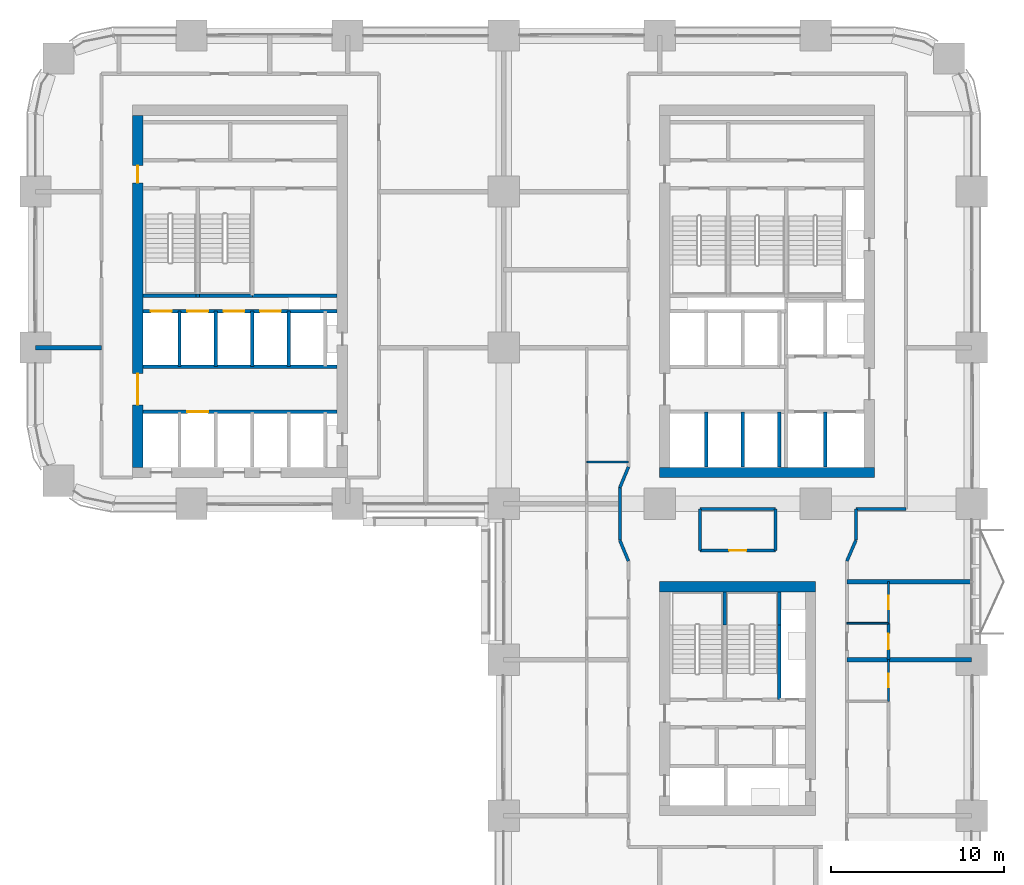
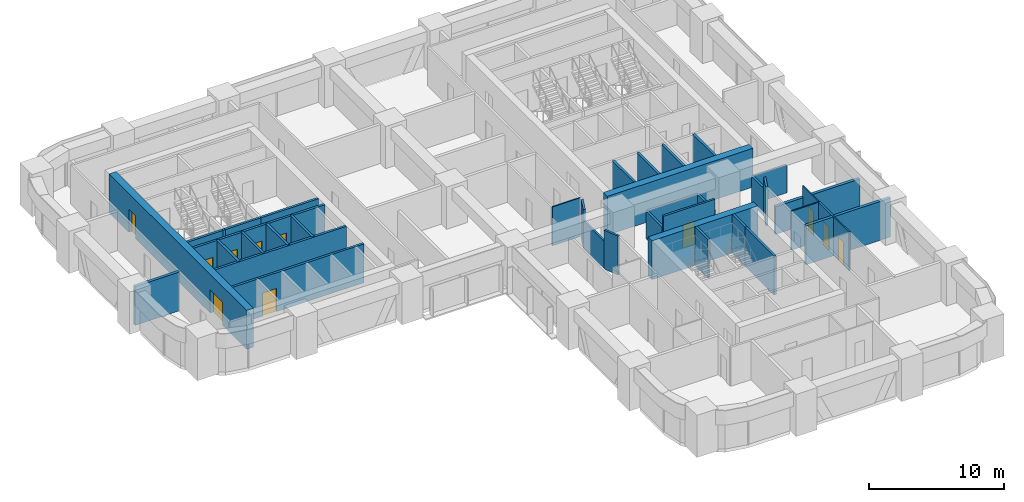
# One storey, part 13 of 18: 39 walls, 11 doors, 11 openings.
"""IFC4 building model written with IfcOpenShell, lengths in metres."""

from ifc_helpers import new_model, si_unit, direction, frame, frame_2d, origin, place, context, subcontext, project, spatial, rectangle, extrude, material, layer, layer_set, type_object, element, fill, save


model = new_model("IFC4")

# Units and contexts
model_context = context("Model", 3, precision=1e-05, world=origin(), true_north=direction((0.0, 1.0)))
body_context = subcontext(model_context, "Body", "Model", "MODEL_VIEW")
ifc_project = project(units=[si_unit("LENGTHUNIT", "METRE"), si_unit("AREAUNIT", "SQUARE_METRE"), si_unit("VOLUMEUNIT", "CUBIC_METRE"), si_unit("PLANEANGLEUNIT", "RADIAN"), si_unit("MASSUNIT", "GRAM", prefix="KILO")], contexts=[model_context])

# Site, building, storey
site_placement = place(None, origin())
site = spatial("IfcSite", under=ifc_project, at=site_placement, CompositionType="ELEMENT")
building_placement = place(site_placement, origin())
building = spatial("IfcBuilding", under=site, at=building_placement, Name="Tessera Arch", CompositionType="ELEMENT")
storey_placement = place(building_placement, frame((0.0, 0.0, 104.39990234375)))
storey = spatial("IfcBuildingStorey", under=building, at=storey_placement, Name="L24", CompositionType="ELEMENT", Elevation=104.39990234375)

# Wall
ifc_material_1 = material(Name="Concrete C70/85", Category="concrete")
ifc_layer_1 = layer(ifc_material_1, 0.60009765625)
ifc_layer_set_1 = layer_set([ifc_layer_1], Name="Core shell wall 600 C70-85")
wall_type_1 = type_object("IfcWallType", Name="Core shell wall 600 C70-85", PredefinedType="SHEAR", material=ifc_layer_set_1)
wall_1_placement = place(storey_placement, frame((36.0, 28.800048828125, 0.0), z_axis=(0.0, 0.0, 1.0), x_axis=(1.0, 0.0, 0.0)))
element("IfcWall", 1, at=wall_1_placement, inside=storey, type_object=wall_type_1, Name="L24 C1 core wall S", PredefinedType="SHEAR", context=body_context, shape_type="SweptSolid", body=[
    extrude(rectangle(XDim=12.39990234375, YDim=0.60009765625, at=frame_2d((6.199951171875, 0.0))), origin(), (0.0, 0.0, 1.0), 3.5),
])

# Wall, openings, doors
wall_2_placement = place(storey_placement, frame((5.89990234375, 29.10009765625, 0.0), z_axis=(0.0, 0.0, 1.0), x_axis=(0.0, 1.0, 0.0)))
wall_2 = element("IfcWall", 2, at=wall_2_placement, inside=storey, type_object=wall_type_1, Name="L24 C2 core wall W", PredefinedType="SHEAR", context=body_context, shape_type="SweptSolid", body=[
    extrude(rectangle(XDim=20.2998046875, YDim=0.60009765625, at=frame_2d((10.14990234375, 0.0))), origin(), (0.0, 0.0, 1.0), 3.5),
])
opening_1_placement = place(wall_2_placement, frame((3.60009765625, 0.0, 0.0)))
opening_1 = element("IfcOpeningElement", 3, at=opening_1_placement, cuts=wall_2, Name="Opening L24-C24", PredefinedType="OPENING", context=body_context, shape_type="SweptSolid", body=[
    extrude(rectangle(XDim=1.800048828125, YDim=2.10009765625, at=frame_2d((0.89990234375, 1.050048828125))), frame((0.0, 0.31005859375, 0.0), z_axis=(0.0, -1.0, 0.0), x_axis=(1.0, 0.0, 0.0)), (0.0, 0.0, 1.0), 0.6201171875),
])
opening_2_placement = place(wall_2_placement, frame((16.39990234375, 0.0, 0.0)))
opening_2 = element("IfcOpeningElement", 4, at=opening_2_placement, cuts=wall_2, Name="Opening L24-C27", PredefinedType="OPENING", context=body_context, shape_type="SweptSolid", body=[
    extrude(rectangle(XDim=1.0, YDim=2.10009765625, at=frame_2d((0.5, 1.050048828125))), frame((0.0, 0.31005859375, 0.0), z_axis=(0.0, -1.0, 0.0), x_axis=(1.0, 0.0, 0.0)), (0.0, 0.0, 1.0), 0.6201171875),
])
ifc_material_2 = material(Name="Steel door leaf", Category="steel")
door_type_1 = type_object("IfcDoorType", Name="Corridor door FD60 1000 x 2100", OperationType="SINGLE_SWING_LEFT", PredefinedType="DOOR", material=ifc_material_2)
door_1_placement = place(opening_2_placement, origin())
door_1 = element("IfcDoor", 5, at=door_1_placement, inside=storey, type_object=door_type_1, Name="L24 C2 door 14 C27 type D12", OperationType="SINGLE_SWING_RIGHT", OverallHeight=2.10009765625, OverallWidth=1.0, PredefinedType="DOOR", context=body_context, shape_type="SweptSolid", body=[
    extrude(rectangle(XDim=1.0, YDim=2.10009765625, at=frame_2d((0.5, 1.050048828125))), frame((0.0, 0.02490234375, 0.0), z_axis=(0.0, -1.0, 0.0), x_axis=(1.0, 0.0, 0.0)), (0.0, 0.0, 1.0), 0.050048828125),
])
fill(opening_2, door_1)
ifc_material_3 = material(Name="Glazed steel door leaf", Category="steel")
door_type_2 = type_object("IfcDoorType", Name="Lobby double door FD30S 1800 x 2100", OperationType="DOUBLE_DOOR_SINGLE_SWING", PredefinedType="DOOR", material=ifc_material_3)
door_2_placement = place(opening_1_placement, origin())
door_2 = element("IfcDoor", 6, at=door_2_placement, inside=storey, type_object=door_type_2, Name="L24 C2 door 11 C24 type D06", OperationType="DOUBLE_DOOR_SINGLE_SWING", OverallHeight=2.10009765625, OverallWidth=1.800048828125, PredefinedType="DOOR", context=body_context, shape_type="SweptSolid", body=[
    extrude(rectangle(XDim=1.800048828125, YDim=2.10009765625, at=frame_2d((0.89990234375, 1.050048828125))), frame((0.0, 0.02490234375, 0.0), z_axis=(0.0, -1.0, 0.0), x_axis=(1.0, 0.0, 0.0)), (0.0, 0.0, 1.0), 0.050048828125),
])
fill(opening_1, door_2)

# Wall
wall_3_placement = place(storey_placement, frame((36.0, 22.199951171875, 0.0), z_axis=(0.0, 0.0, 1.0), x_axis=(1.0, 0.0, 0.0)))
element("IfcWall", 7, at=wall_3_placement, inside=storey, type_object=wall_type_1, Name="L24 C3 core wall N", PredefinedType="SHEAR", context=body_context, shape_type="SweptSolid", body=[
    extrude(rectangle(XDim=9.0, YDim=0.60009765625, at=frame_2d((4.5, 0.0))), origin(), (0.0, 0.0, 1.0), 3.5),
])

# Wall, opening, door
ifc_material_4 = material(Name="Gypsum board on deep steel stud with mineral wool", Category="steel")
ifc_layer_2 = layer(ifc_material_4, 0.175048828125)
ifc_layer_set_2 = layer_set([ifc_layer_2], Name="Corridor wall 175 EI 60")
wall_type_2 = type_object("IfcWallType", Name="Corridor wall 175 EI 60", PredefinedType="PARTITIONING", material=ifc_layer_set_2)
wall_4_placement = place(storey_placement, frame((38.320068359375, 24.300048828125, 0.0), z_axis=(0.0, 0.0, 1.0), x_axis=(1.0, 0.0, 0.0)))
wall_4 = element("IfcWall", 8, at=wall_4_placement, inside=storey, type_object=wall_type_2, Name="L24 partition 2", PredefinedType="PARTITIONING", context=body_context, shape_type="SweptSolid", body=[
    extrude(rectangle(XDim=4.35986328125, YDim=0.175048828125, at=frame_2d((2.179931640625, 0.0))), origin(), (0.0, 0.0, 1.0), 3.5),
])
opening_3_placement = place(wall_4_placement, frame((1.679931640625, 0.0, 0.0)))
opening_3 = element("IfcOpeningElement", 9, at=opening_3_placement, cuts=wall_4, Name="Opening L24-D018", PredefinedType="OPENING", context=body_context, shape_type="SweptSolid", body=[
    extrude(rectangle(XDim=1.0, YDim=2.10009765625, at=frame_2d((0.5, 1.050048828125))), frame((0.0, 0.097412109375, 0.0), z_axis=(0.0, -1.0, 0.0), x_axis=(1.0, 0.0, 0.0)), (0.0, 0.0, 1.0), 0.195068359375),
])
ifc_material_5 = material(Name="Fire-rated door leaf")
door_type_3 = type_object("IfcDoorType", Name="Entrance door FD30S 1000 x 2100", OperationType="SINGLE_SWING_LEFT", PredefinedType="DOOR", material=ifc_material_5)
door_3_placement = place(opening_3_placement, origin())
door_3 = element("IfcDoor", 10, at=door_3_placement, inside=storey, type_object=door_type_3, Name="L24 door D018 type D03", OperationType="SINGLE_SWING_RIGHT", OverallHeight=2.10009765625, OverallWidth=1.0, PredefinedType="DOOR", context=body_context, shape_type="SweptSolid", body=[
    extrude(rectangle(XDim=1.0, YDim=2.10009765625, at=frame_2d((0.5, 1.050048828125))), frame((0.0, 0.02490234375, 0.0), z_axis=(0.0, -1.0, 0.0), x_axis=(1.0, 0.0, 0.0)), (0.0, 0.0, 1.0), 0.050048828125),
])
fill(opening_3, door_3)

# Walls
wall_5_placement = place(storey_placement, frame((38.320068359375, 26.699951171875, 0.0), z_axis=(0.0, 0.0, 1.0), x_axis=(1.0, 0.0, 0.0)))
element("IfcWall", 11, at=wall_5_placement, inside=storey, type_object=wall_type_2, Name="L24 partition 3", PredefinedType="PARTITIONING", context=body_context, shape_type="SweptSolid", body=[
    extrude(rectangle(XDim=4.35986328125, YDim=0.175048828125, at=frame_2d((2.179931640625, 0.0))), origin(), (0.0, 0.0, 1.0), 2.5),
])
wall_6_placement = place(storey_placement, frame((47.320068359375, 26.699951171875, 0.0), z_axis=(0.0, 0.0, 1.0), x_axis=(1.0, 0.0, 0.0)))
element("IfcWall", 12, at=wall_6_placement, inside=storey, type_object=wall_type_2, Name="L24 partition 4", PredefinedType="PARTITIONING", context=body_context, shape_type="SweptSolid", body=[
    extrude(rectangle(XDim=2.8798828125, YDim=0.175048828125, at=frame_2d((1.43994140625, 0.0))), origin(), (0.0, 0.0, 1.0), 2.5),
])
wall_7_placement = place(storey_placement, frame((33.699951171875, 24.889892578125, 0.0), z_axis=(0.0, 0.0, 1.0), x_axis=(0.0, 1.0, 0.0)))
element("IfcWall", 13, at=wall_7_placement, inside=storey, type_object=wall_type_2, Name="L24 partition 11", PredefinedType="PARTITIONING", context=body_context, shape_type="SweptSolid", body=[
    extrude(rectangle(XDim=3.030029296875, YDim=0.175048828125, at=frame_2d((1.51513671875, 0.0))), origin(), (0.0, 0.0, 1.0), 2.5),
])
for number, where, z_axis, x_axis, name in (
    (14, (38.320068359375, 24.300048828125, 0.0), (0.0, 0.0, 1.0), (0.0, 1.0, 0.0), "L24 partition 14"),
    (15, (42.679931640625, 24.300048828125, 0.0), (0.0, 0.0, 1.0), (0.0, 1.0, 0.0), "L24 partition 15"),
):
    element("IfcWall", number, at=place(storey_placement, frame(where, z_axis=z_axis, x_axis=x_axis)), inside=storey, type_object=wall_type_2, Name=name, PredefinedType="PARTITIONING", context=body_context, shape_type="SweptSolid", body=[
        extrude(rectangle(XDim=2.39990234375, YDim=0.175048828125, at=frame_2d((1.199951171875, 0.0))), origin(), (0.0, 0.0, 1.0), 2.5),
    ])
wall_8_placement = place(storey_placement, frame((47.320068359375, 24.889892578125, 0.0), z_axis=(0.0, 0.0, 1.0), x_axis=(0.0, 1.0, 0.0)))
element("IfcWall", 16, at=wall_8_placement, inside=storey, type_object=wall_type_2, Name="L24 partition 17", PredefinedType="PARTITIONING", context=body_context, shape_type="SweptSolid", body=[
    extrude(rectangle(XDim=1.81005859375, YDim=0.175048828125, at=frame_2d((0.905029296875, 0.0))), origin(), (0.0, 0.0, 1.0), 2.5),
])
wall_9_placement = place(storey_placement, frame((34.199951171875, 23.68994140625, 0.0), z_axis=(0.0, 0.0, 1.0), x_axis=(-0.384628719983, 0.923071366561, 0.0)))
element("IfcWall", 17, at=wall_9_placement, inside=storey, type_object=wall_type_2, Name="L24 partition 59", PredefinedType="PARTITIONING", context=body_context, shape_type="SweptSolid", body=[
    extrude(rectangle(XDim=1.300048828125, YDim=0.175048828125, at=frame_2d((0.64990234375, 0.0))), origin(), (0.0, 0.0, 1.0), 3.5),
])
wall_10_placement = place(storey_placement, frame((47.320068359375, 24.889892578125, 0.0), z_axis=(0.0, 0.0, 1.0), x_axis=(-0.397633632391, -0.917544273804, 0.0)))
element("IfcWall", 18, at=wall_10_placement, inside=storey, type_object=wall_type_2, Name="L24 partition 60", PredefinedType="PARTITIONING", context=body_context, shape_type="SweptSolid", body=[
    extrude(rectangle(XDim=1.307861328125, YDim=0.175048828125, at=frame_2d((0.65380859375, 0.0))), origin(), (0.0, 0.0, 1.0), 3.5),
])
wall_11_placement = place(storey_placement, frame((33.699951171875, 27.919921875, 0.0), z_axis=(0.0, 0.0, 1.0), x_axis=(0.384562051588, 0.923099143363, 0.0)))
element("IfcWall", 19, at=wall_11_placement, inside=storey, type_object=wall_type_2, Name="L24 partition 61", PredefinedType="PARTITIONING", context=body_context, shape_type="SweptSolid", body=[
    extrude(rectangle(XDim=1.30029296875, YDim=0.175048828125, at=frame_2d((0.650146484375, 0.0))), origin(), (0.0, 0.0, 1.0), 3.5),
])

# Wall, opening, door
ifc_material_6 = material(Name="Gypsum board on steel stud", Category="steel")
ifc_layer_3 = layer(ifc_material_6, 0.14990234375)
ifc_layer_set_3 = layer_set([ifc_layer_3], Name="Partition 150")
wall_type_3 = type_object("IfcWallType", Name="Partition 150", PredefinedType="PARTITIONING", material=ifc_layer_set_3)
wall_12_placement = place(storey_placement, frame((49.199951171875, 18.0, 0.0), z_axis=(0.0, 0.0, 1.0), x_axis=(0.0, 1.0, 0.0)))
wall_12 = element("IfcWall", 20, at=wall_12_placement, inside=storey, type_object=wall_type_3, Name="L24 partition 24", PredefinedType="PARTITIONING", context=body_context, shape_type="SweptSolid", body=[
    extrude(rectangle(XDim=2.10009765625, YDim=0.14990234375, at=frame_2d((1.050048828125, 0.0))), origin(), (0.0, 0.0, 1.0), 3.5),
])
opening_4_placement = place(wall_12_placement, frame((0.60009765625, 0.0, 0.0)))
opening_4 = element("IfcOpeningElement", 21, at=opening_4_placement, cuts=wall_12, Name="Opening L24-D013", PredefinedType="OPENING", context=body_context, shape_type="SweptSolid", body=[
    extrude(rectangle(XDim=0.89990234375, YDim=2.10009765625, at=frame_2d((0.449951171875, 1.050048828125))), frame((0.0, 0.0849609375, 0.0), z_axis=(0.0, -1.0, 0.0), x_axis=(1.0, 0.0, 0.0)), (0.0, 0.0, 1.0), 0.169921875),
])
ifc_material_7 = material(Name="Timber door leaf", Category="wood")
door_type_4 = type_object("IfcDoorType", Name="Room door 900 x 2100", OperationType="SINGLE_SWING_LEFT", PredefinedType="DOOR", material=ifc_material_7)
door_4_placement = place(opening_4_placement, origin())
door_4 = element("IfcDoor", 22, at=door_4_placement, inside=storey, type_object=door_type_4, Name="L24 door D013 type D01", OperationType="SINGLE_SWING_RIGHT", OverallHeight=2.10009765625, OverallWidth=0.89990234375, PredefinedType="DOOR", context=body_context, shape_type="SweptSolid", body=[
    extrude(rectangle(XDim=0.89990234375, YDim=2.10009765625, at=frame_2d((0.449951171875, 1.050048828125))), frame((0.0, 0.02490234375, 0.0), z_axis=(0.0, -1.0, 0.0), x_axis=(1.0, 0.0, 0.0)), (0.0, 0.0, 1.0), 0.050048828125),
])
fill(opening_4, door_4)

# Walls
ifc_material_8 = material(Name="Double gypsum board on twin steel stud with acoustic mineral wool", Category="steel")
ifc_layer_4 = layer(ifc_material_8, 0.25)
ifc_layer_set_4 = layer_set([ifc_layer_4], Name="Party wall 250 EI 60")
wall_type_4 = type_object("IfcWallType", Name="Party wall 250 EI 60", PredefinedType="PARTITIONING", material=ifc_layer_set_4)
wall_13_placement = place(storey_placement, frame((46.800048828125, 18.0, 0.0), z_axis=(0.0, 0.0, 1.0), x_axis=(1.0, 0.0, 0.0)))
element("IfcWall", 23, at=wall_13_placement, inside=storey, type_object=wall_type_4, Name="L24 partition 28", PredefinedType="PARTITIONING", context=body_context, shape_type="SweptSolid", body=[
    extrude(rectangle(XDim=7.199951171875, YDim=0.25, at=frame_2d((3.60009765625, 0.0))), origin(), (0.0, 0.0, 1.0), 3.5),
])
wall_14_placement = place(storey_placement, frame((46.800048828125, 22.5, 0.0), z_axis=(0.0, 0.0, 1.0), x_axis=(1.0, 0.0, 0.0)))
element("IfcWall", 24, at=wall_14_placement, inside=storey, type_object=wall_type_4, Name="L24 partition 29", PredefinedType="PARTITIONING", context=body_context, shape_type="SweptSolid", body=[
    extrude(rectangle(XDim=7.199951171875, YDim=0.25, at=frame_2d((3.60009765625, 0.0))), origin(), (0.0, 0.0, 1.0), 2.5),
])
wall_15_placement = place(storey_placement, frame((0.0, 36.0, 0.0), z_axis=(0.0, 0.0, 1.0), x_axis=(1.0, 0.0, 0.0)))
element("IfcWall", 25, at=wall_15_placement, inside=storey, type_object=wall_type_4, Name="L24 partition 31", PredefinedType="PARTITIONING", context=body_context, shape_type="SweptSolid", body=[
    extrude(rectangle(XDim=3.800048828125, YDim=0.25, at=frame_2d((1.89990234375, 0.0))), origin(), (0.0, 0.0, 1.0), 3.5),
])
ifc_material_9 = material(Name="Concrete C40/50", Category="concrete")
ifc_layer_5 = layer(ifc_material_9, 0.199951171875)
ifc_layer_set_5 = layer_set([ifc_layer_5], Name="Shaft wall 200 EI 120")
wall_type_5 = type_object("IfcWallType", Name="Shaft wall 200 EI 120", PredefinedType="SOLIDWALL", material=ifc_layer_set_5)
for number, where, z_axis, x_axis, name in (
    (26, (38.699951171875, 29.10009765625, 0.0), (0.0, 0.0, 1.0), (0.0, 1.0, 0.0), "L24 C1 shaft wall 1"),
    (27, (40.800048828125, 29.10009765625, 0.0), (0.0, 0.0, 1.0), (0.0, 1.0, 0.0), "L24 C1 shaft wall 6"),
    (28, (42.89990234375, 29.10009765625, 0.0), (0.0, 0.0, 1.0), (0.0, 1.0, 0.0), "L24 C1 shaft wall 8"),
    (29, (45.550048828125, 29.10009765625, 0.0), (0.0, 0.0, 1.0), (0.0, 1.0, 0.0), "L24 C1 shaft wall 13"),
):
    element("IfcWall", number, at=place(storey_placement, frame(where, z_axis=z_axis, x_axis=x_axis)), inside=storey, type_object=wall_type_5, Name=name, PredefinedType="SOLIDWALL", context=body_context, shape_type="SweptSolid", body=[
        extrude(rectangle(XDim=3.199951171875, YDim=0.199951171875, at=frame_2d((1.60009765625, 0.0))), origin(), (0.0, 0.0, 1.0), 3.5),
    ])
for number, where, z_axis, x_axis, name in (
    (30, (8.300048828125, 34.89990234375, 0.0), (0.0, 0.0, 1.0), (0.0, 1.0, 0.0), "L24 C2 shaft wall 2"),
    (31, (10.39990234375, 34.89990234375, 0.0), (0.0, 0.0, 1.0), (0.0, 1.0, 0.0), "L24 C2 shaft wall 6"),
    (32, (12.5, 34.89990234375, 0.0), (0.0, 0.0, 1.0), (0.0, 1.0, 0.0), "L24 C2 shaft wall 9"),
    (33, (14.60009765625, 34.89990234375, 0.0), (0.0, 0.0, 1.0), (0.0, 1.0, 0.0), "L24 C2 shaft wall 13"),
):
    element("IfcWall", number, at=place(storey_placement, frame(where, z_axis=z_axis, x_axis=x_axis)), inside=storey, type_object=wall_type_5, Name=name, PredefinedType="SOLIDWALL", context=body_context, shape_type="SweptSolid", body=[
        extrude(rectangle(XDim=3.2001953125, YDim=0.199951171875, at=frame_2d((1.60009765625, 0.0))), origin(), (0.0, 0.0, 1.0), 3.5),
    ])

# Wall, opening, door
wall_16_placement = place(storey_placement, frame((6.199951171875, 32.300048828125, 0.0), z_axis=(0.0, 0.0, 1.0), x_axis=(1.0, 0.0, 0.0)))
wall_16 = element("IfcWall", 34, at=wall_16_placement, inside=storey, type_object=wall_type_5, Name="L24 C2 shaft wall 16", PredefinedType="SOLIDWALL", context=body_context, shape_type="SweptSolid", body=[
    extrude(rectangle(XDim=11.199951171875, YDim=0.199951171875, at=frame_2d((5.60009765625, 0.0))), origin(), (0.0, 0.0, 1.0), 3.5),
])
opening_5_placement = place(wall_16_placement, frame((2.550048828125, 0.0, 0.0)))
opening_5 = element("IfcOpeningElement", 35, at=opening_5_placement, cuts=wall_16, Name="Opening L24-C15", PredefinedType="OPENING", context=body_context, shape_type="SweptSolid", body=[
    extrude(rectangle(XDim=1.199951171875, YDim=2.10009765625, at=frame_2d((0.60009765625, 1.050048828125))), frame((0.0, 0.10986328125, 0.0), z_axis=(0.0, -1.0, 0.0), x_axis=(1.0, 0.0, 0.0)), (0.0, 0.0, 1.0), 0.219970703125),
])
ifc_material_10 = material(Name="Stainless steel AISI 304", Category="steel")
door_type_5 = type_object("IfcDoorType", Name="Sliding landing door 1200 x 2100", OperationType="SLIDING_TO_LEFT", PredefinedType="DOOR", material=ifc_material_10)
door_5_placement = place(opening_5_placement, origin())
door_5 = element("IfcDoor", 36, at=door_5_placement, inside=storey, type_object=door_type_5, Name="L24 LR2 lift landing door C15 type LD", OperationType="SLIDING_TO_LEFT", OverallHeight=2.10009765625, OverallWidth=1.199951171875, PredefinedType="DOOR", context=body_context, shape_type="SweptSolid", body=[
    extrude(rectangle(XDim=1.199951171875, YDim=2.10009765625, at=frame_2d((0.60009765625, 1.050048828125))), frame((0.0, 0.02490234375, 0.0), z_axis=(0.0, -1.0, 0.0), x_axis=(1.0, 0.0, 0.0)), (0.0, 0.0, 1.0), 0.050048828125),
])
fill(opening_5, door_5)

# Wall
wall_17_placement = place(storey_placement, frame((6.199951171875, 34.89990234375, 0.0), z_axis=(0.0, 0.0, 1.0), x_axis=(1.0, 0.0, 0.0)))
element("IfcWall", 37, at=wall_17_placement, inside=storey, type_object=wall_type_5, Name="L24 C2 shaft wall 17", PredefinedType="SOLIDWALL", context=body_context, shape_type="SweptSolid", body=[
    extrude(rectangle(XDim=11.199951171875, YDim=0.199951171875, at=frame_2d((5.60009765625, 0.0))), origin(), (0.0, 0.0, 1.0), 3.5),
])

# Wall, openings, doors
wall_18_placement = place(storey_placement, frame((6.199951171875, 38.10009765625, 0.0), z_axis=(0.0, 0.0, 1.0), x_axis=(1.0, 0.0, 0.0)))
wall_18 = element("IfcWall", 38, at=wall_18_placement, inside=storey, type_object=wall_type_5, Name="L24 C2 shaft wall 18", PredefinedType="SOLIDWALL", context=body_context, shape_type="SweptSolid", body=[
    extrude(rectangle(XDim=11.199951171875, YDim=0.199951171875, at=frame_2d((5.60009765625, 0.0))), origin(), (0.0, 0.0, 1.0), 3.5),
])
opening_6_placement = place(wall_18_placement, frame((0.449951171875, 0.0, 0.0)))
opening_6 = element("IfcOpeningElement", 39, at=opening_6_placement, cuts=wall_18, Name="Opening L24-C18", PredefinedType="OPENING", context=body_context, shape_type="SweptSolid", body=[
    extrude(rectangle(XDim=1.199951171875, YDim=2.10009765625, at=frame_2d((0.60009765625, 1.050048828125))), frame((0.0, 0.10986328125, 0.0), z_axis=(0.0, -1.0, 0.0), x_axis=(1.0, 0.0, 0.0)), (0.0, 0.0, 1.0), 0.219970703125),
])
opening_7_placement = place(wall_18_placement, frame((2.550048828125, 0.0, 0.0)))
opening_7 = element("IfcOpeningElement", 40, at=opening_7_placement, cuts=wall_18, Name="Opening L24-C19", PredefinedType="OPENING", context=body_context, shape_type="SweptSolid", body=[
    extrude(rectangle(XDim=1.199951171875, YDim=2.10009765625, at=frame_2d((0.60009765625, 1.050048828125))), frame((0.0, 0.10986328125, 0.0), z_axis=(0.0, -1.0, 0.0), x_axis=(1.0, 0.0, 0.0)), (0.0, 0.0, 1.0), 0.219970703125),
])
opening_8_placement = place(wall_18_placement, frame((4.64990234375, 0.0, 0.0)))
opening_8 = element("IfcOpeningElement", 41, at=opening_8_placement, cuts=wall_18, Name="Opening L24-C20", PredefinedType="OPENING", context=body_context, shape_type="SweptSolid", body=[
    extrude(rectangle(XDim=1.199951171875, YDim=2.10009765625, at=frame_2d((0.60009765625, 1.050048828125))), frame((0.0, 0.10986328125, 0.0), z_axis=(0.0, -1.0, 0.0), x_axis=(1.0, 0.0, 0.0)), (0.0, 0.0, 1.0), 0.219970703125),
])
opening_9_placement = place(wall_18_placement, frame((6.75, 0.0, 0.0)))
opening_9 = element("IfcOpeningElement", 42, at=opening_9_placement, cuts=wall_18, Name="Opening L24-C21", PredefinedType="OPENING", context=body_context, shape_type="SweptSolid", body=[
    extrude(rectangle(XDim=1.199951171875, YDim=2.10009765625, at=frame_2d((0.60009765625, 1.050048828125))), frame((0.0, 0.10986328125, 0.0), z_axis=(0.0, -1.0, 0.0), x_axis=(1.0, 0.0, 0.0)), (0.0, 0.0, 1.0), 0.219970703125),
])
door_6_placement = place(opening_6_placement, origin())
door_6 = element("IfcDoor", 43, at=door_6_placement, inside=storey, type_object=door_type_5, Name="L24 LR5 lift landing door C18 type LD", OperationType="SLIDING_TO_LEFT", OverallHeight=2.10009765625, OverallWidth=1.199951171875, PredefinedType="DOOR", context=body_context, shape_type="SweptSolid", body=[
    extrude(rectangle(XDim=1.199951171875, YDim=2.10009765625, at=frame_2d((0.60009765625, 1.050048828125))), frame((0.0, 0.02490234375, 0.0), z_axis=(0.0, -1.0, 0.0), x_axis=(1.0, 0.0, 0.0)), (0.0, 0.0, 1.0), 0.050048828125),
])
fill(opening_6, door_6)
door_7_placement = place(opening_7_placement, origin())
door_7 = element("IfcDoor", 44, at=door_7_placement, inside=storey, type_object=door_type_5, Name="L24 LR6 lift landing door C19 type LD", OperationType="SLIDING_TO_LEFT", OverallHeight=2.10009765625, OverallWidth=1.199951171875, PredefinedType="DOOR", context=body_context, shape_type="SweptSolid", body=[
    extrude(rectangle(XDim=1.199951171875, YDim=2.10009765625, at=frame_2d((0.60009765625, 1.050048828125))), frame((0.0, 0.02490234375, 0.0), z_axis=(0.0, -1.0, 0.0), x_axis=(1.0, 0.0, 0.0)), (0.0, 0.0, 1.0), 0.050048828125),
])
fill(opening_7, door_7)
door_8_placement = place(opening_8_placement, origin())
door_8 = element("IfcDoor", 45, at=door_8_placement, inside=storey, type_object=door_type_5, Name="L24 LR7 lift landing door C20 type LD", OperationType="SLIDING_TO_LEFT", OverallHeight=2.10009765625, OverallWidth=1.199951171875, PredefinedType="DOOR", context=body_context, shape_type="SweptSolid", body=[
    extrude(rectangle(XDim=1.199951171875, YDim=2.10009765625, at=frame_2d((0.60009765625, 1.050048828125))), frame((0.0, 0.02490234375, 0.0), z_axis=(0.0, -1.0, 0.0), x_axis=(1.0, 0.0, 0.0)), (0.0, 0.0, 1.0), 0.050048828125),
])
fill(opening_8, door_8)
door_9_placement = place(opening_9_placement, origin())
door_9 = element("IfcDoor", 46, at=door_9_placement, inside=storey, type_object=door_type_5, Name="L24 LR8 lift landing door C21 type LD", OperationType="SLIDING_TO_LEFT", OverallHeight=2.10009765625, OverallWidth=1.199951171875, PredefinedType="DOOR", context=body_context, shape_type="SweptSolid", body=[
    extrude(rectangle(XDim=1.199951171875, YDim=2.10009765625, at=frame_2d((0.60009765625, 1.050048828125))), frame((0.0, 0.02490234375, 0.0), z_axis=(0.0, -1.0, 0.0), x_axis=(1.0, 0.0, 0.0)), (0.0, 0.0, 1.0), 0.050048828125),
])
fill(opening_9, door_9)

# Walls
wall_19_placement = place(storey_placement, frame((12.5, 39.0, 0.0), z_axis=(0.0, 0.0, 1.0), x_axis=(1.0, 0.0, 0.0)))
element("IfcWall", 47, at=wall_19_placement, inside=storey, type_object=wall_type_5, Name="L24 C2 shaft wall 19", PredefinedType="SOLIDWALL", context=body_context, shape_type="SweptSolid", body=[
    extrude(rectangle(XDim=4.89990234375, YDim=0.199951171875, at=frame_2d((2.449951171875, 0.0))), origin(), (0.0, 0.0, 1.0), 3.5),
])
ifc_material_11 = material(Name="Concrete C40/50", Category="concrete")
ifc_layer_6 = layer(ifc_material_11, 0.199951171875)
ifc_layer_set_6 = layer_set([ifc_layer_6], Name="Stair well wall 200 REI 180")
wall_type_6 = type_object("IfcWallType", Name="Stair well wall 200 REI 180", PredefinedType="SOLIDWALL", material=ifc_layer_set_6)
wall_20_placement = place(storey_placement, frame((6.199951171875, 39.0, 0.0), z_axis=(0.0, 0.0, 1.0), x_axis=(1.0, 0.0, 0.0)))
element("IfcWall", 48, at=wall_20_placement, inside=storey, type_object=wall_type_6, Name="L24 C2 shaft wall 20", PredefinedType="SOLIDWALL", context=body_context, shape_type="SweptSolid", body=[
    extrude(rectangle(XDim=3.050048828125, YDim=0.199951171875, at=frame_2d((1.52490234375, 0.0))), origin(), (0.0, 0.0, 1.0), 3.5),
])
wall_21_placement = place(storey_placement, frame((9.25, 39.0, 0.0), z_axis=(0.0, 0.0, 1.0), x_axis=(1.0, 0.0, 0.0)))
element("IfcWall", 49, at=wall_21_placement, inside=storey, type_object=wall_type_6, Name="L24 C2 shaft wall 21", PredefinedType="SOLIDWALL", context=body_context, shape_type="SweptSolid", body=[
    extrude(rectangle(XDim=0.199951171875, YDim=0.199951171875, at=frame_2d((0.10009765625, 0.0))), origin(), (0.0, 0.0, 1.0), 3.5),
])
wall_22_placement = place(storey_placement, frame((9.449951171875, 39.0, 0.0), z_axis=(0.0, 0.0, 1.0), x_axis=(1.0, 0.0, 0.0)))
element("IfcWall", 50, at=wall_22_placement, inside=storey, type_object=wall_type_6, Name="L24 C2 shaft wall 22", PredefinedType="SOLIDWALL", context=body_context, shape_type="SweptSolid", body=[
    extrude(rectangle(XDim=3.050048828125, YDim=0.199951171875, at=frame_2d((1.52490234375, 0.0))), origin(), (0.0, 0.0, 1.0), 3.5),
])
wall_23_placement = place(storey_placement, frame((39.75, 20.0, 0.0), z_axis=(0.0, 0.0, 1.0), x_axis=(0.0, 1.0, 0.0)))
element("IfcWall", 51, at=wall_23_placement, inside=storey, type_object=wall_type_6, Name="L24 C3 shaft wall 3", PredefinedType="SOLIDWALL", context=body_context, shape_type="SweptSolid", body=[
    extrude(rectangle(XDim=1.89990234375, YDim=0.199951171875, at=frame_2d((0.949951171875, 0.0))), origin(), (0.0, 0.0, 1.0), 3.5),
])
wall_24_placement = place(storey_placement, frame((42.89990234375, 15.699951171875, 0.0), z_axis=(0.0, 0.0, 1.0), x_axis=(0.0, 1.0, 0.0)))
element("IfcWall", 52, at=wall_24_placement, inside=storey, type_object=wall_type_6, Name="L24 C3 shaft wall 6", PredefinedType="SOLIDWALL", context=body_context, shape_type="SweptSolid", body=[
    extrude(rectangle(XDim=4.300048828125, YDim=0.199951171875, at=frame_2d((2.14990234375, 0.0))), origin(), (0.0, 0.0, 1.0), 3.5),
])
wall_25_placement = place(storey_placement, frame((42.89990234375, 20.0, 0.0), z_axis=(0.0, 0.0, 1.0), x_axis=(0.0, 1.0, 0.0)))
element("IfcWall", 53, at=wall_25_placement, inside=storey, type_object=wall_type_6, Name="L24 C3 shaft wall 7", PredefinedType="SOLIDWALL", context=body_context, shape_type="SweptSolid", body=[
    extrude(rectangle(XDim=1.89990234375, YDim=0.199951171875, at=frame_2d((0.949951171875, 0.0))), origin(), (0.0, 0.0, 1.0), 3.5),
])
ifc_material_12 = material(Name="Moisture-resistant board on pre-plumbed steel stud", Category="steel")
ifc_layer_7 = layer(ifc_material_12, 0.10009765625)
ifc_layer_set_7 = layer_set([ifc_layer_7], Name="Wet wall 100")
wall_type_7 = type_object("IfcWallType", Name="Wet wall 100", PredefinedType="PARTITIONING", material=ifc_layer_set_7)
for number, where, z_axis, x_axis, name in (
    (54, (46.800048828125, 20.10009765625, 0.0), (0.0, 0.0, 1.0), (1.0, 0.0, 0.0), "L24 partition 50"),
    (55, (31.800048828125, 29.39990234375, 0.0), (0.0, 0.0, 1.0), (1.0, 0.0, 0.0), "L24 partition 52"),
):
    element("IfcWall", number, at=place(storey_placement, frame(where, z_axis=z_axis, x_axis=x_axis)), inside=storey, type_object=wall_type_7, Name=name, PredefinedType="PARTITIONING", context=body_context, shape_type="SweptSolid", body=[
        extrude(rectangle(XDim=2.39990234375, YDim=0.10009765625, at=frame_2d((1.199951171875, 0.0))), origin(), (0.0, 0.0, 1.0), 3.5),
    ])

# Wall, opening, door
wall_26_placement = place(storey_placement, frame((49.199951171875, 15.60009765625, 0.0), z_axis=(0.0, 0.0, 1.0), x_axis=(0.0, 1.0, 0.0)))
wall_26 = element("IfcWall", 56, at=wall_26_placement, inside=storey, type_object=wall_type_7, Name="L24 partition 57", PredefinedType="PARTITIONING", context=body_context, shape_type="SweptSolid", body=[
    extrude(rectangle(XDim=2.39990234375, YDim=0.10009765625, at=frame_2d((1.199951171875, 0.0))), origin(), (0.0, 0.0, 1.0), 3.5),
])
opening_10_placement = place(wall_26_placement, frame((0.800048828125, 0.0, 0.0)))
opening_10 = element("IfcOpeningElement", 57, at=opening_10_placement, cuts=wall_26, Name="Opening L24-D011", PredefinedType="OPENING", context=body_context, shape_type="SweptSolid", body=[
    extrude(rectangle(XDim=0.800048828125, YDim=2.10009765625, at=frame_2d((0.39990234375, 1.050048828125))), frame((0.0, 0.06005859375, 0.0), z_axis=(0.0, -1.0, 0.0), x_axis=(1.0, 0.0, 0.0)), (0.0, 0.0, 1.0), 0.1201171875),
])
ifc_material_13 = material(Name="Timber door leaf", Category="wood")
door_type_6 = type_object("IfcDoorType", Name="En-suite door 800 x 2100", OperationType="SINGLE_SWING_LEFT", PredefinedType="DOOR", material=ifc_material_13)
door_10_placement = place(opening_10_placement, origin())
door_10 = element("IfcDoor", 58, at=door_10_placement, inside=storey, type_object=door_type_6, Name="L24 door D011 type D02", OperationType="SINGLE_SWING_RIGHT", OverallHeight=2.10009765625, OverallWidth=0.800048828125, PredefinedType="DOOR", context=body_context, shape_type="SweptSolid", body=[
    extrude(rectangle(XDim=0.800048828125, YDim=2.10009765625, at=frame_2d((0.39990234375, 1.050048828125))), frame((0.0, 0.02490234375, 0.0), z_axis=(0.0, -1.0, 0.0), x_axis=(1.0, 0.0, 0.0)), (0.0, 0.0, 1.0), 0.050048828125),
])
fill(opening_10, door_10)

wall_27_placement = place(storey_placement, frame((49.199951171875, 20.10009765625, 0.0), z_axis=(0.0, 0.0, 1.0), x_axis=(0.0, 1.0, 0.0)))
wall_27 = element("IfcWall", 59, at=wall_27_placement, inside=storey, type_object=wall_type_7, Name="L24 partition 58", PredefinedType="PARTITIONING", context=body_context, shape_type="SweptSolid", body=[
    extrude(rectangle(XDim=2.39990234375, YDim=0.10009765625, at=frame_2d((1.199951171875, 0.0))), origin(), (0.0, 0.0, 1.0), 3.5),
])
opening_11_placement = place(wall_27_placement, frame((0.800048828125, 0.0, 0.0)))
opening_11 = element("IfcOpeningElement", 60, at=opening_11_placement, cuts=wall_27, Name="Opening L24-D014", PredefinedType="OPENING", context=body_context, shape_type="SweptSolid", body=[
    extrude(rectangle(XDim=0.800048828125, YDim=2.10009765625, at=frame_2d((0.39990234375, 1.050048828125))), frame((0.0, 0.06005859375, 0.0), z_axis=(0.0, -1.0, 0.0), x_axis=(1.0, 0.0, 0.0)), (0.0, 0.0, 1.0), 0.1201171875),
])
door_11_placement = place(opening_11_placement, origin())
door_11 = element("IfcDoor", 61, at=door_11_placement, inside=storey, type_object=door_type_6, Name="L24 door D014 type D02", OperationType="SINGLE_SWING_LEFT", OverallHeight=2.10009765625, OverallWidth=0.800048828125, PredefinedType="DOOR", context=body_context, shape_type="SweptSolid", body=[
    extrude(rectangle(XDim=0.800048828125, YDim=2.10009765625, at=frame_2d((0.39990234375, 1.050048828125))), frame((0.0, 0.02490234375, 0.0), z_axis=(0.0, -1.0, 0.0), x_axis=(1.0, 0.0, 0.0)), (0.0, 0.0, 1.0), 0.050048828125),
])
fill(opening_11, door_11)

save(model, "model.ifc")
